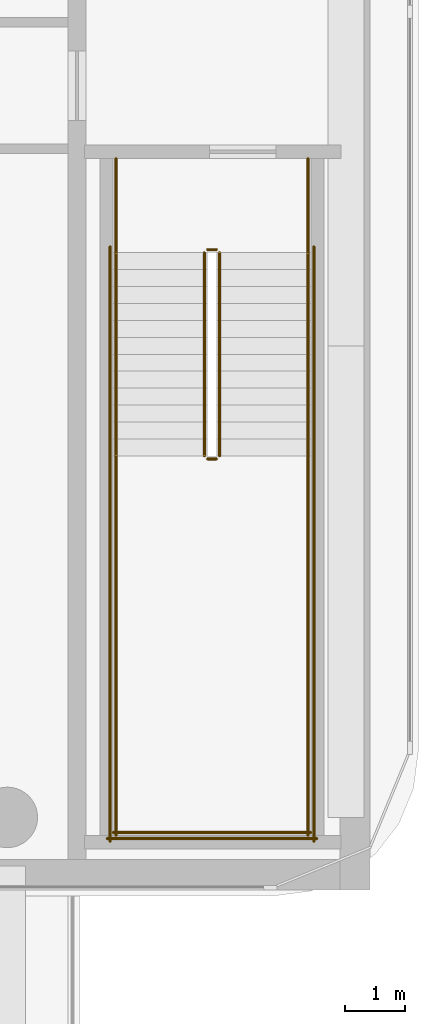
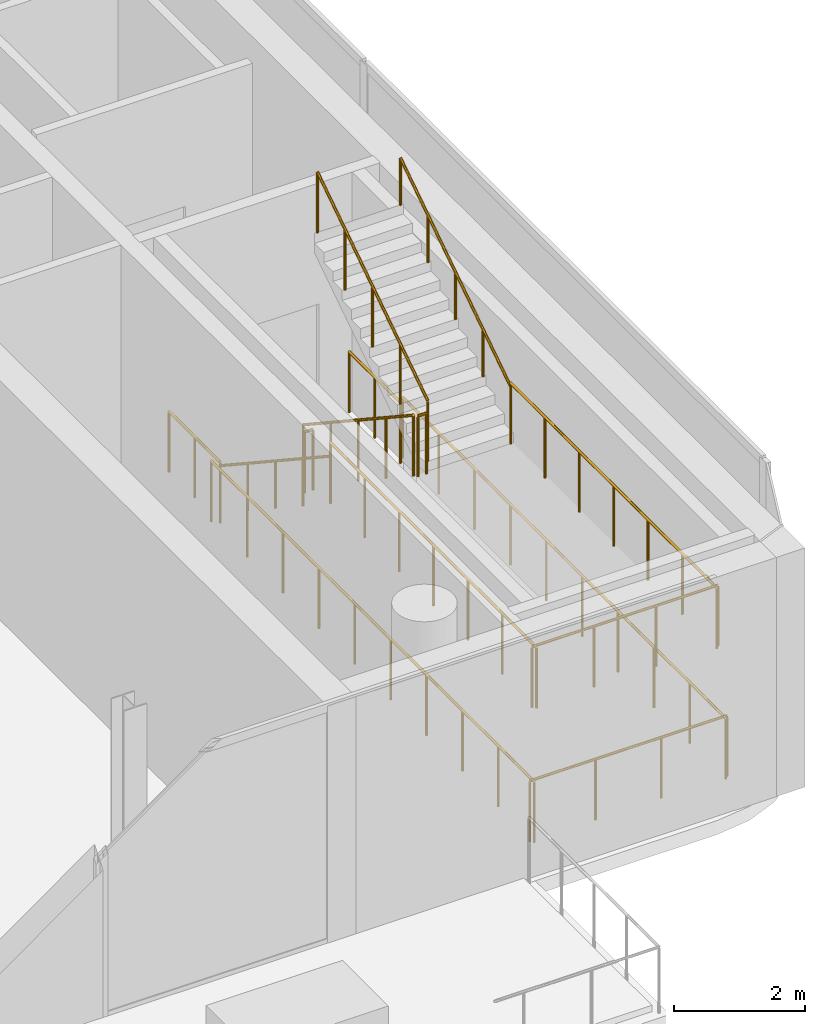
# One storey, part 13 of 14: 14 railings.
"""IFC4 building model written with IfcOpenShell, lengths in metres."""

from ifc_helpers import new_model, si_unit, direction, frame, origin, origin_2d, place, context, subcontext, project, spatial, circle, extrude, material, type_object, element, save


model = new_model("IFC4")

# Units and contexts
model_context = context("Model", 3, precision=1e-05, world=origin(), true_north=direction((0.0, 1.0)))
body_context = subcontext(model_context, "Body", "Model", "MODEL_VIEW")
ifc_project = project(units=[si_unit("LENGTHUNIT", "METRE"), si_unit("AREAUNIT", "SQUARE_METRE"), si_unit("VOLUMEUNIT", "CUBIC_METRE"), si_unit("PLANEANGLEUNIT", "RADIAN"), si_unit("MASSUNIT", "GRAM", prefix="KILO")], contexts=[model_context])

# Site, building, storey
site_placement = place(None, origin())
site = spatial("IfcSite", under=ifc_project, at=site_placement, CompositionType="ELEMENT")
building_placement = place(site_placement, origin())
building = spatial("IfcBuilding", under=site, at=building_placement, Name="Khairoan Windgate Tower", CompositionType="ELEMENT")
storey_placement = place(building_placement, frame((0.0, 0.0, 320.39990234375)))
storey = spatial("IfcBuildingStorey", under=building, at=storey_placement, Name="L77", CompositionType="ELEMENT", Elevation=320.39990234375)

# Railings
ifc_material_1 = material(Name="Anodised Bronze Aluminium 6063-T6", Category="aluminium")
railing_type_1 = type_object("IfcRailingType", Name="Stair Wall Handrail SHR-900", PredefinedType="HANDRAIL", material=ifc_material_1)
railing_1_placement = place(storey_placement, frame((16.199951171875, -9.260009765625, 0.184814453125)))
element("IfcRailing", 1, at=railing_1_placement, inside=storey, type_object=railing_type_1, Name="L77 ST1 stair handrail 1", PredefinedType="HANDRAIL", context=body_context, shape_type="SweptSolid", body=[
    extrude(circle(Radius=0.02392578125, at=origin_2d()), frame((0.0, 0.0, 0.8759765625), z_axis=(0.0, -0.834876476806, 0.550437342915), x_axis=(1.0, 0.0, 0.0)), (0.0, 0.0, 1.0), 4.024658203125),
    extrude(circle(Radius=0.02099609375, at=origin_2d()), origin(), (0.0, 0.0, 1.0), 0.851806640625),
    extrude(circle(Radius=0.02099609375, at=origin_2d()), frame((0.0, -0.840087890625, 0.5537109375)), (0.0, 0.0, 1.0), 0.851806640625),
    extrude(circle(Radius=0.02099609375, at=origin_2d()), frame((0.0, -1.68017578125, 1.107666015625)), (0.0, 0.0, 1.0), 0.851806640625),
    extrude(circle(Radius=0.02099609375, at=origin_2d()), frame((0.0, -2.52001953125, 1.66162109375)), (0.0, 0.0, 1.0), 0.851806640625),
    extrude(circle(Radius=0.02099609375, at=origin_2d()), frame((0.0, -3.360107421875, 2.21533203125)), (0.0, 0.0, 1.0), 0.851806640625),
])
railing_2_placement = place(storey_placement, frame((19.3701171875, -12.6201171875, 2.584716796875)))
element("IfcRailing", 2, at=railing_2_placement, inside=storey, type_object=railing_type_1, Name="L77 ST1 stair handrail 2", PredefinedType="HANDRAIL", context=body_context, shape_type="SweptSolid", body=[
    extrude(circle(Radius=0.02392578125, at=origin_2d()), frame((0.0, 0.0, 0.8759765625), z_axis=(0.0, 0.834876476806, 0.550437342915), x_axis=(-1.0, 0.0, 0.0)), (0.0, 0.0, 1.0), 4.024658203125),
    extrude(circle(Radius=0.02099609375, at=origin_2d()), origin(), (0.0, 0.0, 1.0), 0.851806640625),
    extrude(circle(Radius=0.02099609375, at=origin_2d()), frame((0.0, 0.840087890625, 0.5537109375)), (0.0, 0.0, 1.0), 0.851806640625),
    extrude(circle(Radius=0.02099609375, at=origin_2d()), frame((0.0, 1.68017578125, 1.107666015625)), (0.0, 0.0, 1.0), 0.851806640625),
    extrude(circle(Radius=0.02099609375, at=origin_2d()), frame((0.0, 2.52001953125, 1.66162109375)), (0.0, 0.0, 1.0), 0.851806640625),
    extrude(circle(Radius=0.02099609375, at=origin_2d()), frame((0.0, 3.360107421875, 2.21533203125)), (0.0, 0.0, 1.0), 0.851806640625),
])
ifc_material_2 = material(Name="Steel S355", Category="steel")
railing_type_2 = type_object("IfcRailingType", Name="Stairwell Safety Guardrail SGR-1150", PredefinedType="GUARDRAIL", material=ifc_material_2)
railing_3_placement = place(storey_placement, frame((17.659912109375, -9.260009765625, 0.184814453125)))
element("IfcRailing", 3, at=railing_3_placement, inside=storey, type_object=railing_type_2, Name="L77 ST1 stair guard 1", PredefinedType="GUARDRAIL", context=body_context, shape_type="SweptSolid", body=[
    extrude(circle(Radius=0.02392578125, at=origin_2d()), frame((0.0, 0.0, 1.1259765625), z_axis=(0.0, -0.834876476806, 0.550437342915), x_axis=(1.0, 0.0, 0.0)), (0.0, 0.0, 1.0), 4.024658203125),
    extrude(circle(Radius=0.02099609375, at=origin_2d()), origin(), (0.0, 0.0, 1.0), 1.101806640625),
    extrude(circle(Radius=0.02099609375, at=origin_2d()), frame((0.0, -0.840087890625, 0.5537109375)), (0.0, 0.0, 1.0), 1.101806640625),
    extrude(circle(Radius=0.02099609375, at=origin_2d()), frame((0.0, -1.68017578125, 1.107666015625)), (0.0, 0.0, 1.0), 1.101806640625),
    extrude(circle(Radius=0.02099609375, at=origin_2d()), frame((0.0, -2.52001953125, 1.66162109375)), (0.0, 0.0, 1.0), 1.101806640625),
    extrude(circle(Radius=0.02099609375, at=origin_2d()), frame((0.0, -3.360107421875, 2.21533203125)), (0.0, 0.0, 1.0), 1.101806640625),
])
railing_4_placement = place(storey_placement, frame((17.7099609375, -12.669921875, 2.400146484375)))
element("IfcRailing", 4, at=railing_4_placement, inside=storey, type_object=railing_type_2, Name="L77 ST1 stair guard 2", PredefinedType="GUARDRAIL", context=body_context, shape_type="SweptSolid", body=[
    extrude(circle(Radius=0.02392578125, at=origin_2d()), frame((0.0, 0.0, 1.1259765625), z_axis=(1.0, 0.0, 0.0), x_axis=(0.0, 1.0, 0.0)), (0.0, 0.0, 1.0), 0.150146484375),
    extrude(circle(Radius=0.02099609375, at=origin_2d()), origin(), (0.0, 0.0, 1.0), 1.101806640625),
    extrude(circle(Radius=0.02099609375, at=origin_2d()), frame((0.150146484375, 0.0, 0.0)), (0.0, 0.0, 1.0), 1.101806640625),
])
for number, where, name in (
    (5, (16.199951171875, -12.6201171875, 2.400146484375), "L77 ST1 stair guard 3"),
    (6, (19.3701171875, -12.6201171875, 2.400146484375), "L77 ST1 stair guard 4"),
):
    element("IfcRailing", number, at=place(storey_placement, frame(where)), inside=storey, type_object=railing_type_2, Name=name, PredefinedType="GUARDRAIL", context=body_context, shape_type="SweptSolid", body=[
        extrude(circle(Radius=0.02392578125, at=origin_2d()), frame((0.0, 0.0, 1.1259765625), z_axis=(0.0, -1.0, 0.0), x_axis=(1.0, 0.0, 0.0)), (0.0, 0.0, 1.0), 6.27978515625),
        extrude(circle(Radius=0.02099609375, at=origin_2d()), origin(), (0.0, 0.0, 1.0), 1.101806640625),
        extrude(circle(Radius=0.02099609375, at=origin_2d()), frame((0.0, -1.046630859375, 0.0)), (0.0, 0.0, 1.0), 1.101806640625),
        extrude(circle(Radius=0.02099609375, at=origin_2d()), frame((0.0, -2.09326171875, 0.0)), (0.0, 0.0, 1.0), 1.101806640625),
        extrude(circle(Radius=0.02099609375, at=origin_2d()), frame((0.0, -3.139892578125, 0.0)), (0.0, 0.0, 1.0), 1.101806640625),
        extrude(circle(Radius=0.02099609375, at=origin_2d()), frame((0.0, -4.1865234375, 0.0)), (0.0, 0.0, 1.0), 1.101806640625),
        extrude(circle(Radius=0.02099609375, at=origin_2d()), frame((0.0, -5.233154296875, 0.0)), (0.0, 0.0, 1.0), 1.101806640625),
        extrude(circle(Radius=0.02099609375, at=origin_2d()), frame((0.0, -6.27978515625, 0.0)), (0.0, 0.0, 1.0), 1.101806640625),
    ])
railing_5_placement = place(storey_placement, frame((16.14990234375, -18.85009765625, 2.400146484375)))
element("IfcRailing", 7, at=railing_5_placement, inside=storey, type_object=railing_type_2, Name="L77 ST1 stair guard 5", PredefinedType="GUARDRAIL", context=body_context, shape_type="SweptSolid", body=[
    extrude(circle(Radius=0.02392578125, at=origin_2d()), frame((0.0, 0.0, 1.1259765625), z_axis=(1.0, 0.0, 0.0), x_axis=(0.0, 1.0, 0.0)), (0.0, 0.0, 1.0), 3.27001953125),
    extrude(circle(Radius=0.02099609375, at=origin_2d()), origin(), (0.0, 0.0, 1.0), 1.101806640625),
    extrude(circle(Radius=0.02099609375, at=origin_2d()), frame((1.090087890625, 0.0, 0.0)), (0.0, 0.0, 1.0), 1.101806640625),
    extrude(circle(Radius=0.02099609375, at=origin_2d()), frame((2.179931640625, 0.0, 0.0)), (0.0, 0.0, 1.0), 1.101806640625),
    extrude(circle(Radius=0.02099609375, at=origin_2d()), frame((3.27001953125, 0.0, 0.0)), (0.0, 0.0, 1.0), 1.101806640625),
])
railing_6_placement = place(storey_placement, frame((17.909912109375, -12.6201171875, 2.584716796875)))
element("IfcRailing", 8, at=railing_6_placement, inside=storey, type_object=railing_type_2, Name="L77 ST1 stair guard 6", PredefinedType="GUARDRAIL", context=body_context, shape_type="SweptSolid", body=[
    extrude(circle(Radius=0.02392578125, at=origin_2d()), frame((0.0, 0.0, 1.1259765625), z_axis=(0.0, 0.834876476806, 0.550437342915), x_axis=(-1.0, 0.0, 0.0)), (0.0, 0.0, 1.0), 4.024658203125),
    extrude(circle(Radius=0.02099609375, at=origin_2d()), origin(), (0.0, 0.0, 1.0), 1.101806640625),
    extrude(circle(Radius=0.02099609375, at=origin_2d()), frame((0.0, 0.840087890625, 0.5537109375)), (0.0, 0.0, 1.0), 1.101806640625),
    extrude(circle(Radius=0.02099609375, at=origin_2d()), frame((0.0, 1.68017578125, 1.107666015625)), (0.0, 0.0, 1.0), 1.101806640625),
    extrude(circle(Radius=0.02099609375, at=origin_2d()), frame((0.0, 2.52001953125, 1.66162109375)), (0.0, 0.0, 1.0), 1.101806640625),
    extrude(circle(Radius=0.02099609375, at=origin_2d()), frame((0.0, 3.360107421875, 2.21533203125)), (0.0, 0.0, 1.0), 1.101806640625),
])
railing_7_placement = place(storey_placement, frame((17.7099609375, -9.2099609375, 0.0)))
element("IfcRailing", 9, at=railing_7_placement, inside=storey, type_object=railing_type_2, Name="L77 ST1 stair guard 7", PredefinedType="GUARDRAIL", context=body_context, shape_type="SweptSolid", body=[
    extrude(circle(Radius=0.02392578125, at=origin_2d()), frame((0.0, 0.0, 1.1259765625), z_axis=(1.0, 0.0, 0.0), x_axis=(0.0, 1.0, 0.0)), (0.0, 0.0, 1.0), 0.150146484375),
    extrude(circle(Radius=0.02099609375, at=origin_2d()), origin(), (0.0, 0.0, 1.0), 1.101806640625),
    extrude(circle(Radius=0.02099609375, at=origin_2d()), frame((0.150146484375, 0.0, 0.0)), (0.0, 0.0, 1.0), 1.101806640625),
])
for number, where, name in (
    (10, (16.199951171875, -7.699951171875, 0.0), "L77 ST1 stair guard 8"),
    (11, (19.3701171875, -7.699951171875, 0.0), "L77 ST1 stair guard 9"),
):
    element("IfcRailing", number, at=place(storey_placement, frame(where)), inside=storey, type_object=railing_type_2, Name=name, PredefinedType="GUARDRAIL", context=body_context, shape_type="SweptSolid", body=[
        extrude(circle(Radius=0.02392578125, at=origin_2d()), frame((0.0, 0.0, 1.1259765625), z_axis=(0.0, -1.0, 0.0), x_axis=(1.0, 0.0, 0.0)), (0.0, 0.0, 1.0), 1.56005859375),
        extrude(circle(Radius=0.02099609375, at=origin_2d()), origin(), (0.0, 0.0, 1.0), 1.101806640625),
        extrude(circle(Radius=0.02099609375, at=origin_2d()), frame((0.0, -0.780029296875, 0.0)), (0.0, 0.0, 1.0), 1.101806640625),
        extrude(circle(Radius=0.02099609375, at=origin_2d()), frame((0.0, -1.56005859375, 0.0)), (0.0, 0.0, 1.0), 1.101806640625),
    ])
for number, where, name in (
    (12, (16.10009765625, -9.159912109375, 0.0), "L77 ST1 stair guard 10"),
    (13, (19.469970703125, -9.159912109375, 0.0), "L77 ST1 stair guard 11"),
):
    element("IfcRailing", number, at=place(storey_placement, frame(where)), inside=storey, type_object=railing_type_2, Name=name, PredefinedType="GUARDRAIL", context=body_context, shape_type="SweptSolid", body=[
        extrude(circle(Radius=0.02392578125, at=origin_2d()), frame((0.0, 0.0, 1.1259765625), z_axis=(0.0, -1.0, 0.0), x_axis=(1.0, 0.0, 0.0)), (0.0, 0.0, 1.0), 9.840087890625),
        extrude(circle(Radius=0.02099609375, at=origin_2d()), origin(), (0.0, 0.0, 1.0), 1.101806640625),
        extrude(circle(Radius=0.02099609375, at=origin_2d()), frame((0.0, -1.09326171875, 0.0)), (0.0, 0.0, 1.0), 1.101806640625),
        extrude(circle(Radius=0.02099609375, at=origin_2d()), frame((0.0, -2.186767578125, 0.0)), (0.0, 0.0, 1.0), 1.101806640625),
        extrude(circle(Radius=0.02099609375, at=origin_2d()), frame((0.0, -3.280029296875, 0.0)), (0.0, 0.0, 1.0), 1.101806640625),
        extrude(circle(Radius=0.02099609375, at=origin_2d()), frame((0.0, -4.373291015625, 0.0)), (0.0, 0.0, 1.0), 1.101806640625),
        extrude(circle(Radius=0.02099609375, at=origin_2d()), frame((0.0, -5.466796875, 0.0)), (0.0, 0.0, 1.0), 1.101806640625),
        extrude(circle(Radius=0.02099609375, at=origin_2d()), frame((0.0, -6.56005859375, 0.0)), (0.0, 0.0, 1.0), 1.101806640625),
        extrude(circle(Radius=0.02099609375, at=origin_2d()), frame((0.0, -7.6533203125, 0.0)), (0.0, 0.0, 1.0), 1.101806640625),
        extrude(circle(Radius=0.02099609375, at=origin_2d()), frame((0.0, -8.746826171875, 0.0)), (0.0, 0.0, 1.0), 1.101806640625),
        extrude(circle(Radius=0.02099609375, at=origin_2d()), frame((0.0, -9.840087890625, 0.0)), (0.0, 0.0, 1.0), 1.101806640625),
    ])
railing_8_placement = place(storey_placement, frame((16.050048828125, -18.949951171875, 0.0)))
element("IfcRailing", 14, at=railing_8_placement, inside=storey, type_object=railing_type_2, Name="L77 ST1 stair guard 12", PredefinedType="GUARDRAIL", context=body_context, shape_type="SweptSolid", body=[
    extrude(circle(Radius=0.02392578125, at=origin_2d()), frame((0.0, 0.0, 1.1259765625), z_axis=(1.0, 0.0, 0.0), x_axis=(0.0, 1.0, 0.0)), (0.0, 0.0, 1.0), 3.469970703125),
    extrude(circle(Radius=0.02099609375, at=origin_2d()), origin(), (0.0, 0.0, 1.0), 1.101806640625),
    extrude(circle(Radius=0.02099609375, at=origin_2d()), frame((1.15673828125, 0.0, 0.0)), (0.0, 0.0, 1.0), 1.101806640625),
    extrude(circle(Radius=0.02099609375, at=origin_2d()), frame((2.313232421875, 0.0, 0.0)), (0.0, 0.0, 1.0), 1.101806640625),
    extrude(circle(Radius=0.02099609375, at=origin_2d()), frame((3.469970703125, 0.0, 0.0)), (0.0, 0.0, 1.0), 1.101806640625),
])

save(model, "model.ifc")
